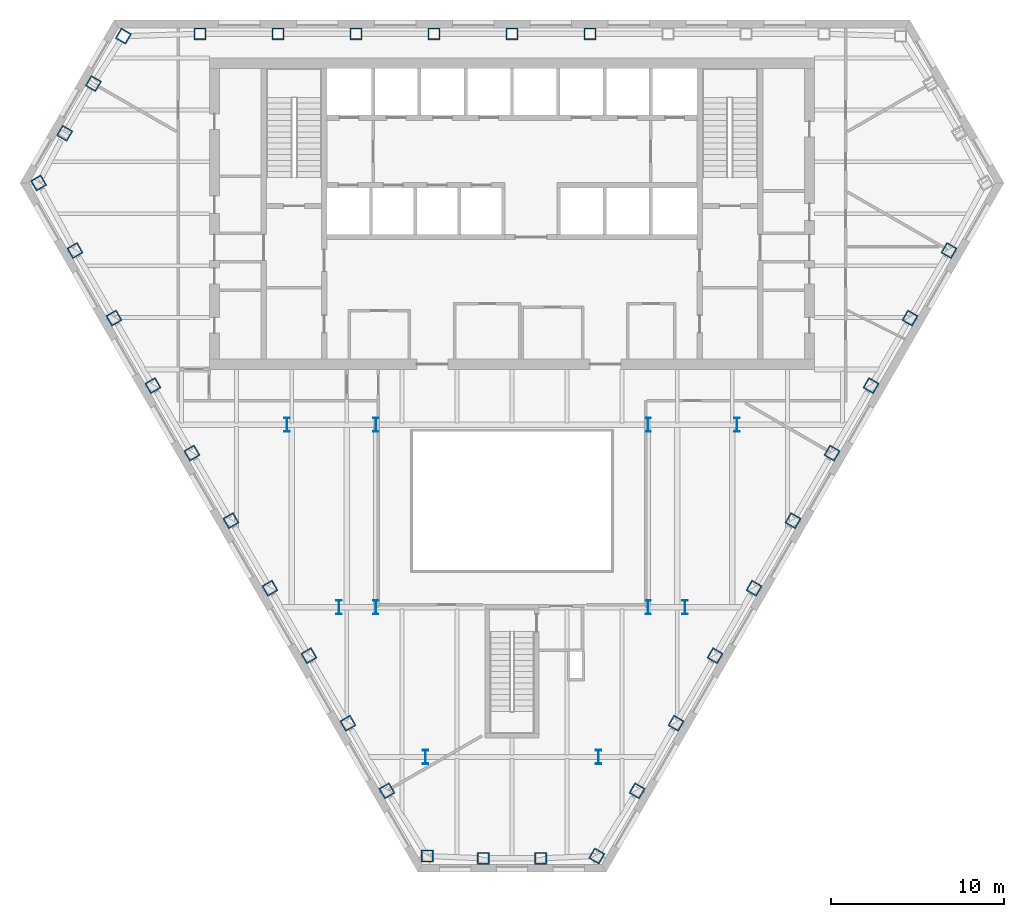
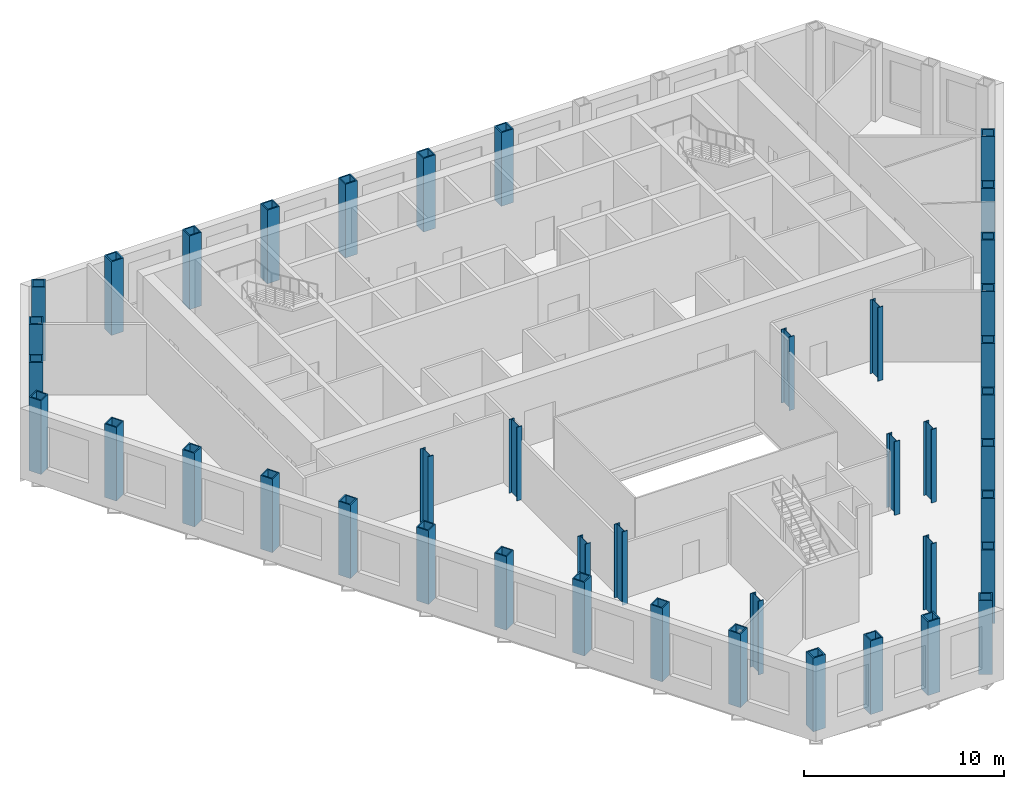
# One storey, part 1 of 11: 42 columns.
"""IFC4 building model written with IfcOpenShell, lengths in metres."""

from ifc_helpers import new_model, si_unit, direction, frame, origin, origin_2d, place, context, subcontext, project, spatial, hollow_rectangle, i_section, extrude, material, material_profile, profile_set, type_object, element, save


model = new_model("IFC4")

# Units and contexts
model_context = context("Model", 3, precision=1e-05, world=origin(), true_north=direction((0.0, 1.0)))
body_context = subcontext(model_context, "Body", "Model", "MODEL_VIEW")
ifc_project = project(units=[si_unit("LENGTHUNIT", "METRE"), si_unit("AREAUNIT", "SQUARE_METRE"), si_unit("VOLUMEUNIT", "CUBIC_METRE"), si_unit("PLANEANGLEUNIT", "RADIAN"), si_unit("MASSUNIT", "GRAM", prefix="KILO")], contexts=[model_context])

# Site, building, storey
site_placement = place(None, origin())
site = spatial("IfcSite", under=ifc_project, at=site_placement, CompositionType="ELEMENT")
building_placement = place(site_placement, origin())
building = spatial("IfcBuilding", under=site, at=building_placement, Name="Njiva Tower", CompositionType="ELEMENT")
storey_placement = place(building_placement, frame((0.0, 0.0, 69.3)))
storey = spatial("IfcBuildingStorey", under=building, at=storey_placement, Name="L14", CompositionType="ELEMENT", Elevation=69.3)

# Columns
ifc_material = material(Name="Steel S355 J2", Category="steel")
ifc_material_profile_1 = material_profile(ifc_material, hollow_rectangle(XDim=0.7, YDim=0.7, WallThickness=0.07, at=origin_2d()), Name="BOX 700x700x70")
ifc_profile_set_1 = profile_set([ifc_material_profile_1], Name="Steel S355 J2")
column_type_1 = type_object("IfcColumnType", Name="C5 Perimeter tube column BOX 700x700x70", PredefinedType="COLUMN", material=ifc_profile_set_1)
for number, where, z_axis, x_axis, name in (
    (1, (4.508, 19.4, 0.0), (0.0, 0.0, 1.0), (-1.0, 0.0, 0.0), "Perimeter tube column S05-C05"),
    (2, (0.0, 19.4, 0.0), (0.0, 0.0, 1.0), (-1.0, 0.0, 0.0), "Perimeter tube column S05-C06"),
    (3, (-4.508, 19.4, 0.0), (0.0, 0.0, 1.0), (-1.0, 0.0, 0.0), "Perimeter tube column S05-C07"),
    (4, (-9.015, 19.4, 0.0), (0.0, 0.0, 1.0), (-1.0, 0.0, 0.0), "Perimeter tube column S05-C08"),
    (5, (-13.523, 19.4, 0.0), (0.0, 0.0, 1.0), (-1.0, 0.0, 0.0), "Perimeter tube column S05-C09"),
    (6, (-18.03, 19.4, 0.0), (0.0, 0.0, 1.0), (-1.0, 0.0, 0.0), "Perimeter tube column S05-C10"),
    (7, (-22.461, 19.267, 0.0), (0.0, 0.0, 1.0), (-0.5, -0.866025403784, 0.0), "Perimeter tube column S05-C11"),
    (8, (-24.197, 16.526, 0.0), (0.0, 0.0, 1.0), (-0.5, -0.866025403784, 0.0), "Perimeter tube column S05-C12"),
    (9, (-25.857, 13.652, 0.0), (0.0, 0.0, 1.0), (-0.5, -0.866025403784, 0.0), "Perimeter tube column S05-C13"),
    (10, (-27.363, 10.778, 0.0), (0.0, 0.0, 1.0), (0.5, -0.866025403784, 0.0), "Perimeter tube column S05-C14"),
    (11, (-25.262, 6.874, 0.0), (0.0, 0.0, 1.0), (0.5, -0.866025403784, 0.0), "Perimeter tube column S05-C15"),
    (12, (-23.009, 2.97, 0.0), (0.0, 0.0, 1.0), (0.5, -0.866025403784, 0.0), "Perimeter tube column S05-C16"),
    (13, (-20.755, -0.934, 0.0), (0.0, 0.0, 1.0), (0.5, -0.866025403784, 0.0), "Perimeter tube column S05-C17"),
    (14, (-18.501, -4.837, 0.0), (0.0, 0.0, 1.0), (0.5, -0.866025403784, 0.0), "Perimeter tube column S05-C18"),
    (15, (-16.247, -8.741, 0.0), (0.0, 0.0, 1.0), (0.5, -0.866025403784, 0.0), "Perimeter tube column S05-C19"),
    (16, (-13.993, -12.645, 0.0), (0.0, 0.0, 1.0), (0.5, -0.866025403784, 0.0), "Perimeter tube column S05-C20"),
    (17, (-11.74, -16.548, 0.0), (0.0, 0.0, 1.0), (0.5, -0.866025403784, 0.0), "Perimeter tube column S05-C21"),
    (18, (-9.486, -20.452, 0.0), (0.0, 0.0, 1.0), (0.5, -0.866025403784, 0.0), "Perimeter tube column S05-C22"),
    (19, (-7.232, -24.356, 0.0), (0.0, 0.0, 1.0), (0.5, -0.866025403784, 0.0), "Perimeter tube column S05-C23"),
    (20, (-4.901, -28.126, 0.0), (0.0, 0.0, 1.0), (1.0, 0.0, 0.0), "Perimeter tube column S05-C24"),
    (21, (-1.659, -28.26, 0.0), (0.0, 0.0, 1.0), (1.0, 0.0, 0.0), "Perimeter tube column S05-C25"),
    (22, (1.659, -28.26, 0.0), (0.0, 0.0, 1.0), (1.0, 0.0, 0.0), "Perimeter tube column S05-C26"),
    (23, (4.901, -28.126, 0.0), (0.0, 0.0, 1.0), (0.5, 0.866025403784, 0.0), "Perimeter tube column S05-C27"),
    (24, (7.232, -24.356, 0.0), (0.0, 0.0, 1.0), (0.5, 0.866025403784, 0.0), "Perimeter tube column S05-C28"),
    (25, (9.486, -20.452, 0.0), (0.0, 0.0, 1.0), (0.5, 0.866025403784, 0.0), "Perimeter tube column S05-C29"),
    (26, (11.74, -16.548, 0.0), (0.0, 0.0, 1.0), (0.5, 0.866025403784, 0.0), "Perimeter tube column S05-C30"),
    (27, (13.993, -12.645, 0.0), (0.0, 0.0, 1.0), (0.5, 0.866025403784, 0.0), "Perimeter tube column S05-C31"),
    (28, (16.247, -8.741, 0.0), (0.0, 0.0, 1.0), (0.5, 0.866025403784, 0.0), "Perimeter tube column S05-C32"),
    (29, (18.501, -4.837, 0.0), (0.0, 0.0, 1.0), (0.5, 0.866025403784, 0.0), "Perimeter tube column S05-C33"),
    (30, (20.755, -0.934, 0.0), (0.0, 0.0, 1.0), (0.5, 0.866025403784, 0.0), "Perimeter tube column S05-C34"),
    (31, (23.009, 2.97, 0.0), (0.0, 0.0, 1.0), (0.5, 0.866025403784, 0.0), "Perimeter tube column S05-C35"),
    (32, (25.262, 6.874, 0.0), (0.0, 0.0, 1.0), (0.5, 0.866025403784, 0.0), "Perimeter tube column S05-C36"),
):
    element("IfcColumn", number, at=place(storey_placement, frame(where, z_axis=z_axis, x_axis=x_axis)), inside=storey, type_object=column_type_1, Name=name, PredefinedType="COLUMN", context=body_context, shape_type="SweptSolid", body=[
        extrude(hollow_rectangle(XDim=0.7, YDim=0.7, WallThickness=0.07, at=origin_2d()), origin(), (0.0, 0.0, 1.0), 4.5),
    ])
ifc_material_profile_2 = material_profile(ifc_material, i_section(OverallWidth=0.303, OverallDepth=0.814, WebThickness=0.021, FlangeThickness=0.04, at=origin_2d()), Name="HEM 800")
ifc_profile_set_2 = profile_set([ifc_material_profile_2], Name="Steel S355 J2")
column_type_2 = type_object("IfcColumnType", Name="C6 Interior column HEM 800", PredefinedType="COLUMN", material=ifc_profile_set_2)
for number, where, z_axis, x_axis, name in (
    (33, (7.87, -3.2, 0.0), (0.0, 0.0, 1.0), (1.0, 0.0, 0.0), "Interior column S05-C40"),
    (34, (-7.87, -3.2, 0.0), (0.0, 0.0, 1.0), (1.0, 0.0, 0.0), "Interior column S05-C41"),
    (35, (7.87, -13.75, 0.0), (0.0, 0.0, 1.0), (1.0, 0.0, 0.0), "Interior column S05-C42"),
    (36, (-7.87, -13.75, 0.0), (0.0, 0.0, 1.0), (1.0, 0.0, 0.0), "Interior column S05-C43"),
    (37, (5.0, -22.4, 0.0), (0.0, 0.0, 1.0), (1.0, 0.0, 0.0), "Interior column S05-C44"),
    (38, (-5.0, -22.4, 0.0), (0.0, 0.0, 1.0), (1.0, 0.0, 0.0), "Interior column S05-C45"),
    (39, (13.0, -3.2, 0.0), (0.0, 0.0, 1.0), (1.0, 0.0, 0.0), "Interior column S05-C46"),
    (40, (-13.0, -3.2, 0.0), (0.0, 0.0, 1.0), (1.0, 0.0, 0.0), "Interior column S05-C47"),
    (41, (10.0, -13.75, 0.0), (0.0, 0.0, 1.0), (1.0, 0.0, 0.0), "Interior column S05-C48"),
    (42, (-10.0, -13.75, 0.0), (0.0, 0.0, 1.0), (1.0, 0.0, 0.0), "Interior column S05-C49"),
):
    element("IfcColumn", number, at=place(storey_placement, frame(where, z_axis=z_axis, x_axis=x_axis)), inside=storey, type_object=column_type_2, Name=name, PredefinedType="COLUMN", context=body_context, shape_type="SweptSolid", body=[
        extrude(i_section(OverallWidth=0.303, OverallDepth=0.814, WebThickness=0.021, FlangeThickness=0.04, at=origin_2d()), origin(), (0.0, 0.0, 1.0), 4.5),
    ])

save(model, "model.ifc")
